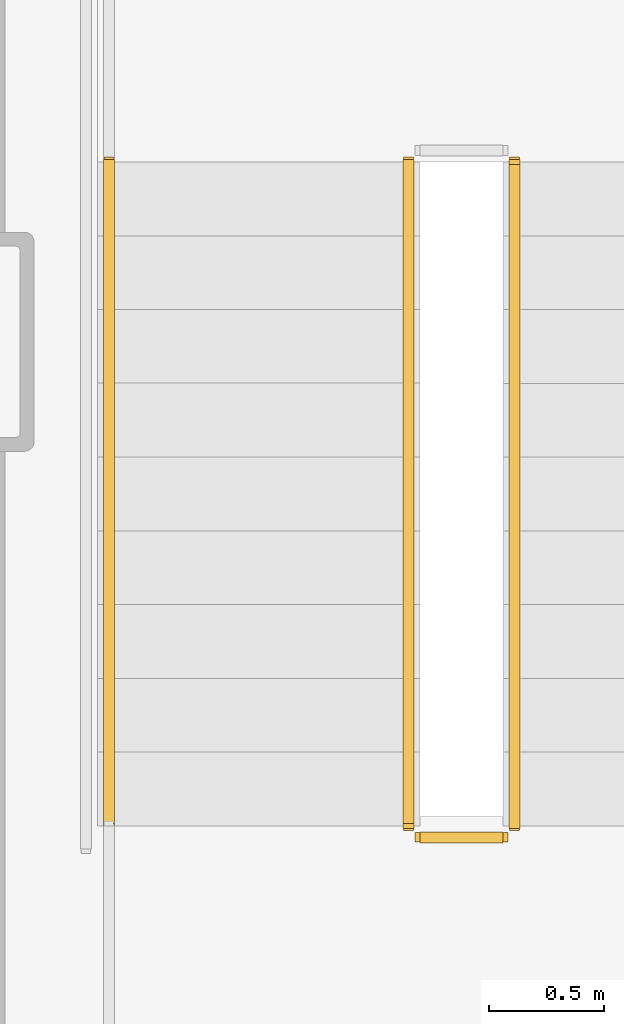
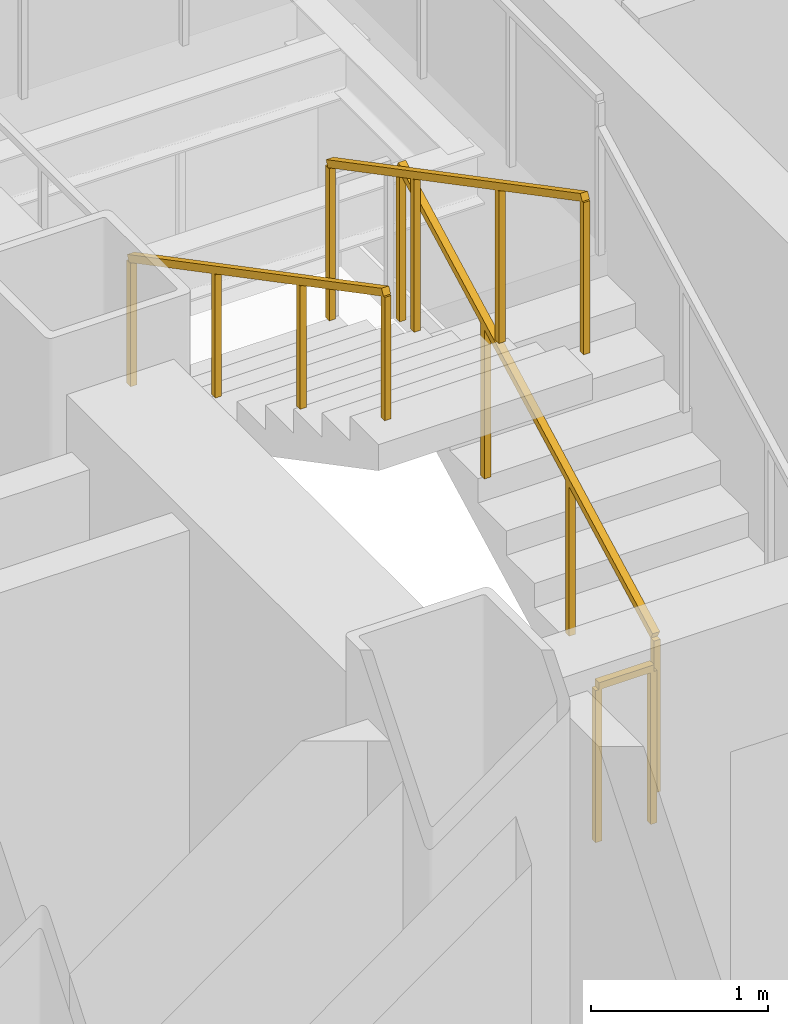
# One storey, part 10 of 13: 4 railings.
"""IFC4 building model written with IfcOpenShell, lengths in metres."""

from ifc_helpers import new_model, si_unit, direction, frame, origin, origin_2d, place, context, subcontext, project, spatial, rectangle, extrude, material, layer, layer_set, type_object, element, save


model = new_model("IFC4")

# Units and contexts
model_context = context("Model", 3, precision=1e-05, world=origin(), true_north=direction((0.0, 1.0)))
body_context = subcontext(model_context, "Body", "Model", "MODEL_VIEW")
ifc_project = project(units=[si_unit("LENGTHUNIT", "METRE"), si_unit("AREAUNIT", "SQUARE_METRE"), si_unit("VOLUMEUNIT", "CUBIC_METRE"), si_unit("PLANEANGLEUNIT", "RADIAN"), si_unit("MASSUNIT", "GRAM", prefix="KILO")], contexts=[model_context])

# Site, building, storey
site_placement = place(None, origin())
site = spatial("IfcSite", under=ifc_project, at=site_placement, CompositionType="ELEMENT")
building_placement = place(site_placement, origin())
building = spatial("IfcBuilding", under=site, at=building_placement, Name="Rocaltana Carrier Exchange", CompositionType="ELEMENT")
storey_placement = place(building_placement, frame((0.0, 0.0, 73.1201171875)))
storey = spatial("IfcBuildingStorey", under=building, at=storey_placement, Name="L22", CompositionType="ELEMENT", Elevation=73.1201171875)

# Railings
ifc_material_1 = material(Name="Brushed Architectural Stainless Tube", Category="steel")
ifc_layer_1 = layer(ifc_material_1, 0.048095703125)
ifc_layer_set_1 = layer_set([ifc_layer_1], Name="Brushed Architectural Stainless Tube")
railing_type_1 = type_object("IfcRailingType", Name="Stair Wall Handrail 920", PredefinedType="HANDRAIL", material=ifc_layer_set_1)
railing_1_placement = place(storey_placement, frame((-5.25, 0.780029296875, 1.847900390625)))
element("IfcRailing", 1, at=railing_1_placement, inside=storey, type_object=railing_type_1, Name="L22 ST-1 stair handrail 2", PredefinedType="HANDRAIL", context=body_context, shape_type="SweptSolid", body=[
    extrude(rectangle(XDim=0.048095703125, YDim=0.048095703125, at=origin_2d()), frame((0.0, 0.0, 0.8759765625), z_axis=(0.0, -0.885411030485, 0.464808893091), x_axis=(1.0, 0.0, 0.0)), (0.0, 0.0, 1.0), 3.2529296875),
    extrude(rectangle(XDim=0.0419921875, YDim=0.0419921875, at=origin_2d()), origin(), (0.0, 0.0, 1.0), 0.851806640625),
    extrude(rectangle(XDim=0.0419921875, YDim=0.0419921875, at=origin_2d()), frame((0.0, -0.9599609375, 0.50390625)), (0.0, 0.0, 1.0), 0.851806640625),
    extrude(rectangle(XDim=0.0419921875, YDim=0.0419921875, at=origin_2d()), frame((0.0, -1.920166015625, 1.008056640625)), (0.0, 0.0, 1.0), 0.851806640625),
    extrude(rectangle(XDim=0.0419921875, YDim=0.0419921875, at=origin_2d()), frame((0.0, -2.880126953125, 1.511962890625)), (0.0, 0.0, 1.0), 0.851806640625),
])
ifc_material_2 = material(Name="Powder-Coated Aluminium 6063-T6", Category="aluminium")
ifc_layer_2 = layer(ifc_material_2, 0.048095703125)
ifc_layer_set_2 = layer_set([ifc_layer_2], Name="Powder-Coated Aluminium 6063-T6")
railing_type_2 = type_object("IfcRailingType", Name="Stair Well Guardrail 1100", PredefinedType="GUARDRAIL", material=ifc_layer_set_2)
railing_2_placement = place(storey_placement, frame((-3.489990234375, -2.10009765625, 0.16796875)))
element("IfcRailing", 2, at=railing_2_placement, inside=storey, type_object=railing_type_2, Name="L22 ST-1 stair guard 1", PredefinedType="GUARDRAIL", context=body_context, shape_type="SweptSolid", body=[
    extrude(rectangle(XDim=0.048095703125, YDim=0.048095703125, at=origin_2d()), frame((0.0, 0.0, 1.076171875), z_axis=(0.0, 0.885411030485, 0.464808893091), x_axis=(-1.0, 0.0, 0.0)), (0.0, 0.0, 1.0), 3.2529296875),
    extrude(rectangle(XDim=0.0419921875, YDim=0.0419921875, at=origin_2d()), origin(), (0.0, 0.0, 1.0), 1.052001953125),
    extrude(rectangle(XDim=0.0419921875, YDim=0.0419921875, at=origin_2d()), frame((0.0, 0.9599609375, 0.50390625)), (0.0, 0.0, 1.0), 1.052001953125),
    extrude(rectangle(XDim=0.0419921875, YDim=0.0419921875, at=origin_2d()), frame((0.0, 1.920166015625, 1.008056640625)), (0.0, 0.0, 1.0), 1.052001953125),
    extrude(rectangle(XDim=0.0419921875, YDim=0.0419921875, at=origin_2d()), frame((0.0, 2.880126953125, 1.511962890625)), (0.0, 0.0, 1.0), 1.052001953125),
])
railing_3_placement = place(storey_placement, frame((-3.949951171875, 0.780029296875, 1.847900390625)))
element("IfcRailing", 3, at=railing_3_placement, inside=storey, type_object=railing_type_2, Name="L22 ST-1 stair guard 6", PredefinedType="GUARDRAIL", context=body_context, shape_type="SweptSolid", body=[
    extrude(rectangle(XDim=0.048095703125, YDim=0.048095703125, at=origin_2d()), frame((0.0, 0.0, 1.076171875), z_axis=(0.0, -0.885411030485, 0.464808893091), x_axis=(1.0, 0.0, 0.0)), (0.0, 0.0, 1.0), 3.2529296875),
    extrude(rectangle(XDim=0.0419921875, YDim=0.0419921875, at=origin_2d()), origin(), (0.0, 0.0, 1.0), 1.052001953125),
    extrude(rectangle(XDim=0.0419921875, YDim=0.0419921875, at=origin_2d()), frame((0.0, -0.9599609375, 0.50390625)), (0.0, 0.0, 1.0), 1.052001953125),
    extrude(rectangle(XDim=0.0419921875, YDim=0.0419921875, at=origin_2d()), frame((0.0, -1.920166015625, 1.008056640625)), (0.0, 0.0, 1.0), 1.052001953125),
    extrude(rectangle(XDim=0.0419921875, YDim=0.0419921875, at=origin_2d()), frame((0.0, -2.880126953125, 1.511962890625)), (0.0, 0.0, 1.0), 1.052001953125),
])
railing_4_placement = place(storey_placement, frame((-3.5400390625, -2.14990234375, 0.0)))
element("IfcRailing", 4, at=railing_4_placement, inside=storey, type_object=railing_type_2, Name="L22 ST-1 stair guard 7", PredefinedType="GUARDRAIL", context=body_context, shape_type="SweptSolid", body=[
    extrude(rectangle(XDim=0.048095703125, YDim=0.048095703125, at=origin_2d()), frame((0.0, 0.0, 1.076171875), z_axis=(-1.0, 0.0, 0.0), x_axis=(0.0, -1.0, 0.0)), (0.0, 0.0, 1.0), 0.35986328125),
    extrude(rectangle(XDim=0.0419921875, YDim=0.0419921875, at=origin_2d()), origin(), (0.0, 0.0, 1.0), 1.052001953125),
    extrude(rectangle(XDim=0.0419921875, YDim=0.0419921875, at=origin_2d()), frame((-0.35986328125, 0.0, 0.0)), (0.0, 0.0, 1.0), 1.052001953125),
])

save(model, "model.ifc")
